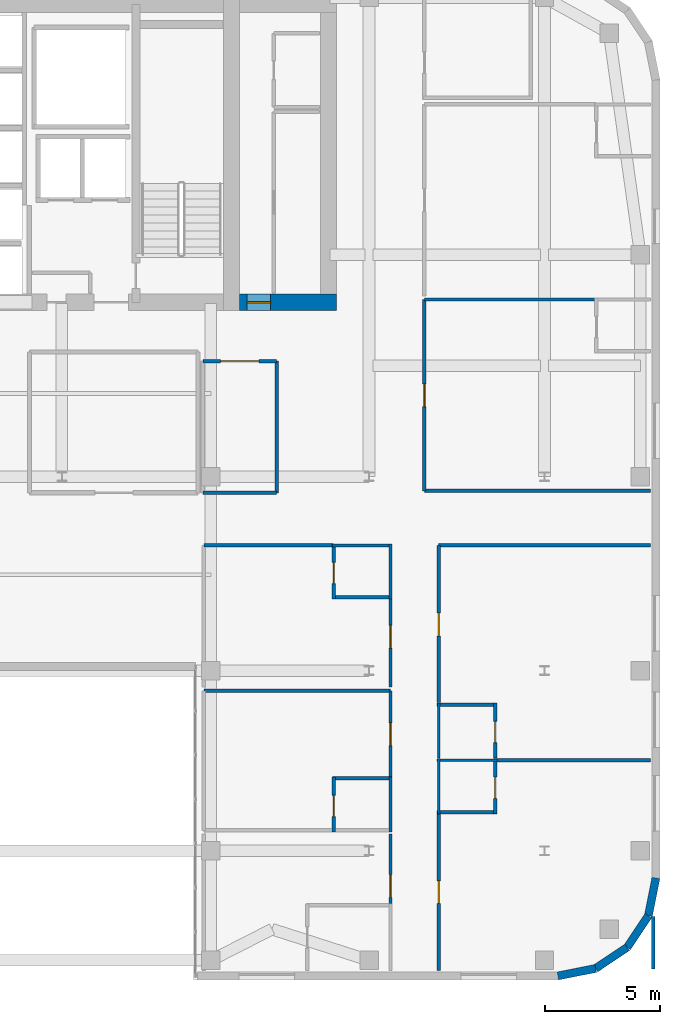
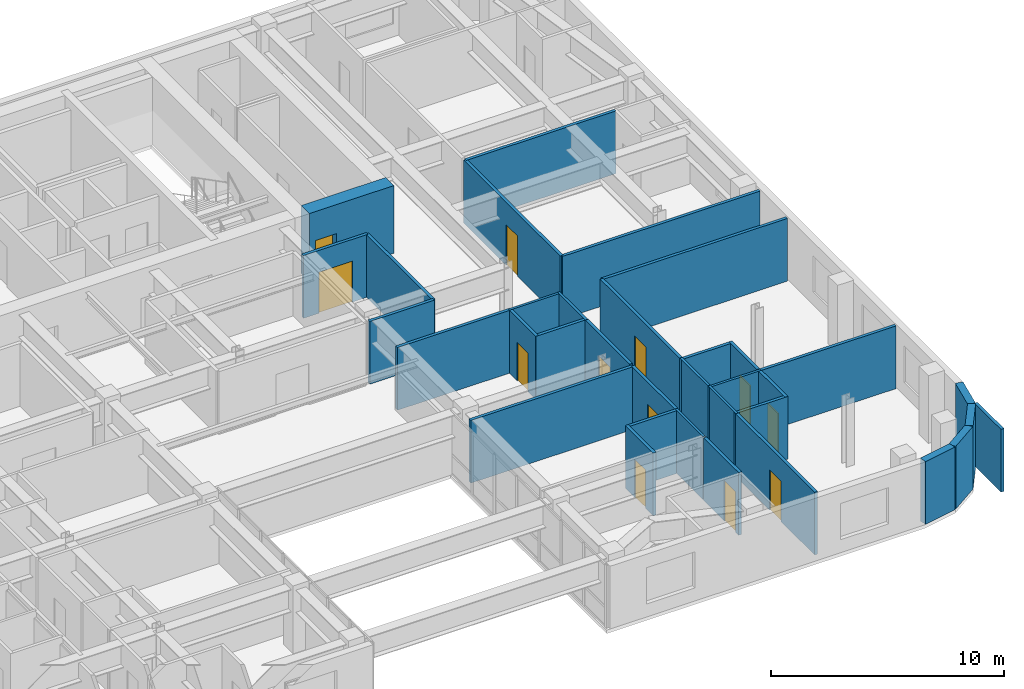
# One storey, part 9 of 13: 35 walls, 12 doors, 12 openings.
"""IFC4 building model written with IfcOpenShell, lengths in metres."""

from ifc_helpers import new_model, si_unit, direction, frame, frame_2d, origin, place, context, subcontext, project, spatial, rectangle, extrude, source, transform, mapped, material, layer, layer_set, type_object, type_shapes, element, fill, save


model = new_model("IFC4")

# Units and contexts
model_context = context("Model", 3, precision=1e-05, world=origin(), true_north=direction((0.0, 1.0)))
body_context = subcontext(model_context, "Body", "Model", "MODEL_VIEW")
ifc_project = project(units=[si_unit("LENGTHUNIT", "METRE"), si_unit("AREAUNIT", "SQUARE_METRE"), si_unit("VOLUMEUNIT", "CUBIC_METRE"), si_unit("PLANEANGLEUNIT", "RADIAN"), si_unit("MASSUNIT", "GRAM", prefix="KILO")], contexts=[model_context])

# Site, building, storey
site_placement = place(None, origin())
site = spatial("IfcSite", under=ifc_project, at=site_placement, CompositionType="ELEMENT")
building_placement = place(site_placement, origin())
building = spatial("IfcBuilding", under=site, at=building_placement, Name="Tolvann Quenvar Hotel", CompositionType="ELEMENT")
storey_placement = place(building_placement, frame((0.0, 0.0, 201.75)))
storey = spatial("IfcBuildingStorey", under=building, at=storey_placement, Name="L53", CompositionType="ELEMENT", Elevation=201.75)

# Wall, opening, door
ifc_material_1 = material(Name="Concrete S65 (65 MPa)", Category="concrete")
ifc_layer_1 = layer(ifc_material_1, 0.699951171875)
ifc_layer_set_1 = layer_set([ifc_layer_1], Name="Concrete S65 (65 MPa)")
wall_type_1 = type_object("IfcWallType", Name="WALL_CORE_700", PredefinedType="SHEAR", material=ifc_layer_set_1)
wall_1_placement = place(storey_placement, frame((36.199951171875, 31.949951171875, 0.0), z_axis=(0.0, 0.0, 1.0), x_axis=(1.0, 0.0, 0.0)))
wall_1 = element("IfcWall", 1, at=wall_1_placement, inside=storey, type_object=wall_type_1, Name="Core East Annex Shear Wall ANN-S (L53)", PredefinedType="SHEAR", context=body_context, shape_type="SweptSolid", body=[
    extrude(rectangle(XDim=4.199951171875, YDim=0.699951171875, at=frame_2d((2.10009765625, 0.0))), origin(), (0.0, 0.0, 1.0), 3.550048828125),
])
opening_1_placement = place(wall_1_placement, frame((1.340087890625, 0.0, 0.0), z_axis=(0.0, 0.0, 1.0), x_axis=(-1.0, 0.0, 0.0)))
opening_1 = element("IfcOpeningElement", 2, at=opening_1_placement, cuts=wall_1, Name="Opening HD-01", PredefinedType="OPENING", context=body_context, shape_type="SweptSolid", body=[
    extrude(rectangle(XDim=1.02001953125, YDim=2.030029296875, at=frame_2d((0.510009765625, 1.01513671875))), frame((0.0, 0.35986328125, 0.0), z_axis=(0.0, -1.0, 0.0), x_axis=(1.0, 0.0, 0.0)), (0.0, 0.0, 1.0), 0.719970703125),
])
ifc_material_2 = material(Name="Pressed galvanised steel fire-rated door set", Category="steel")
door_type_1 = type_object("IfcDoorType", Name="DOOR_BOH_1020", OperationType="NOTDEFINED", PredefinedType="DOOR", material=ifc_material_2)
shared_shape_1 = source(origin(), body_context, "Body", "SweptSolid", [
    extrude(rectangle(XDim=1.02001953125, YDim=2.030029296875, at=frame_2d((0.510009765625, 1.01513671875))), frame((0.0, 0.02490234375, 0.0), z_axis=(0.0, -1.0, 0.0), x_axis=(1.0, 0.0, 0.0)), (0.0, 0.0, 1.0), 0.050048828125),
])
type_shapes(door_type_1, [shared_shape_1])
door_1_placement = place(opening_1_placement, origin())
door_1 = element("IfcDoor", 3, at=door_1_placement, inside=storey, type_object=door_type_1, Name="Housekeeping Annex Fire Door (L53)", OperationType="SINGLE_SWING_RIGHT", OverallHeight=2.030029296875, OverallWidth=1.02001953125, PredefinedType="DOOR", context=body_context, shape_type="MappedRepresentation", body=[
    mapped(shared_shape_1, transform((0.0, 0.0, 0.0), x_axis=(1.0, 0.0, 0.0), y_axis=(0.0, 1.0, 0.0), z_axis=(0.0, 0.0, 1.0), scale=1.0)),
])
fill(opening_1, door_1)

# Walls
ifc_material_3 = material(Name="Kiln-fired red and buff architectural clay brickwork and terracotta masonry", Category="masonry")
ifc_layer_2 = layer(ifc_material_3, 0.35009765625)
ifc_layer_set_2 = layer_set([ifc_layer_2], Name="Kiln-fired red and buff architectural clay brickwork and terracotta masonry")
wall_type_2 = type_object("IfcWallType", Name="WALL_EXT_BRICK_350", PredefinedType="SOLIDWALL", material=ifc_layer_set_2)
wall_2_placement = place(storey_placement, frame((49.98291015625, 2.77490234375, 0.0), z_axis=(0.0, 0.0, 1.0), x_axis=(0.980788844421, 0.195072403631, 0.0)))
element("IfcWall", 4, at=wall_2_placement, inside=storey, type_object=wall_type_2, Name="Exterior Chicago Brick Wall L53-E09", PredefinedType="SOLIDWALL", context=body_context, shape_type="SweptSolid", body=[
    extrude(rectangle(XDim=1.66455078125, YDim=0.35009765625, at=frame_2d((0.832275390625, 0.0))), origin(), (0.0, 0.0, 1.0), 3.2900390625),
])
for number, where, z_axis, x_axis, name in (
    (5, (51.615478515625, 3.099609375, 0.0), (0.0, 0.0, 1.0), (0.831434158098, 0.555623290322, 0.0), "Exterior Chicago Brick Wall L53-E10"),
    (6, (52.985107421875, 4.014892578125, 0.0), (0.0, 0.0, 1.0), (0.555623290322, 0.831434158098, 0.0), "Exterior Chicago Brick Wall L53-E11"),
):
    element("IfcWall", number, at=place(storey_placement, frame(where, z_axis=z_axis, x_axis=x_axis)), inside=storey, type_object=wall_type_2, Name=name, PredefinedType="SOLIDWALL", context=body_context, shape_type="SweptSolid", body=[
        extrude(rectangle(XDim=1.647216796875, YDim=0.35009765625, at=frame_2d((0.82373046875, 0.0))), origin(), (0.0, 0.0, 1.0), 3.2900390625),
    ])
wall_3_placement = place(storey_placement, frame((53.900390625, 5.384521484375, 0.0), z_axis=(0.0, 0.0, 1.0), x_axis=(0.195072403631, 0.980788844421, 0.0)))
element("IfcWall", 7, at=wall_3_placement, inside=storey, type_object=wall_type_2, Name="Exterior Chicago Brick Wall L53-E12", PredefinedType="SOLIDWALL", context=body_context, shape_type="SweptSolid", body=[
    extrude(rectangle(XDim=1.66455078125, YDim=0.35009765625, at=frame_2d((0.832275390625, 0.0))), origin(), (0.0, 0.0, 1.0), 3.2900390625),
])
ifc_material_4 = material(Name="Moisture-resistant acoustic plumbing wall assembly")
ifc_layer_3 = layer(ifc_material_4, 0.1201171875)
ifc_layer_set_3 = layer_set([ifc_layer_3], Name="Moisture-resistant acoustic plumbing wall assembly")
wall_type_3 = type_object("IfcWallType", Name="WALL_PART_BATH_120", PredefinedType="PLUMBINGWALL", material=ifc_layer_set_3)
wall_4_placement = place(storey_placement, frame((42.72998046875, 9.010009765625, 0.0), z_axis=(0.0, 0.0, 1.0), x_axis=(0.0, 1.0, 0.0)))
element("IfcWall", 8, at=wall_4_placement, inside=storey, type_object=wall_type_3, Name="Non-Rated Plumbing Partition PT-SPC-L53-ENS-EI02-E", PredefinedType="PLUMBINGWALL", context=body_context, shape_type="SweptSolid", body=[
    extrude(rectangle(XDim=2.389892578125, YDim=0.1201171875, at=frame_2d((1.19482421875, 0.0))), origin(), (0.0, 0.0, 1.0), 3.2900390625),
])
wall_5_placement = place(storey_placement, frame((40.2099609375, 21.419921875, 0.0), z_axis=(0.0, 0.0, 1.0), x_axis=(1.0, 0.0, 0.0)))
element("IfcWall", 9, at=wall_5_placement, inside=storey, type_object=wall_type_3, Name="Non-Rated Plumbing Partition PT-SPC-L53-ENS-EI03-N", PredefinedType="PLUMBINGWALL", context=body_context, shape_type="SweptSolid", body=[
    extrude(rectangle(XDim=2.590087890625, YDim=0.1201171875, at=frame_2d((1.294921875, 0.0))), origin(), (0.0, 0.0, 1.0), 3.2900390625),
])
wall_6_placement = place(storey_placement, frame((42.72998046875, 19.10009765625, 0.0), z_axis=(0.0, 0.0, 1.0), x_axis=(0.0, 1.0, 0.0)))
element("IfcWall", 10, at=wall_6_placement, inside=storey, type_object=wall_type_3, Name="Non-Rated Plumbing Partition PT-SPC-L53-ENS-EI03-E", PredefinedType="PLUMBINGWALL", context=body_context, shape_type="SweptSolid", body=[
    extrude(rectangle(XDim=2.389892578125, YDim=0.1201171875, at=frame_2d((1.19482421875, 0.0))), origin(), (0.0, 0.0, 1.0), 3.2900390625),
])
wall_7_placement = place(storey_placement, frame((44.75, 12.1201171875, 0.0), z_axis=(0.0, 0.0, 1.0), x_axis=(1.0, 0.0, 0.0)))
element("IfcWall", 11, at=wall_7_placement, inside=storey, type_object=wall_type_3, Name="Non-Rated Plumbing Partition PT-SPC-L53-ENS-EO01-N", PredefinedType="PLUMBINGWALL", context=body_context, shape_type="SweptSolid", body=[
    extrude(rectangle(XDim=2.590087890625, YDim=0.1201171875, at=frame_2d((1.294921875, 0.0))), origin(), (0.0, 0.0, 1.0), 3.2900390625),
])
wall_8_placement = place(storey_placement, frame((44.820068359375, 9.800048828125, 0.0), z_axis=(0.0, 0.0, 1.0), x_axis=(0.0, 1.0, 0.0)))
element("IfcWall", 12, at=wall_8_placement, inside=storey, type_object=wall_type_3, Name="Non-Rated Plumbing Partition PT-SPC-L53-ENS-EO01-W", PredefinedType="PLUMBINGWALL", context=body_context, shape_type="SweptSolid", body=[
    extrude(rectangle(XDim=2.389892578125, YDim=0.1201171875, at=frame_2d((1.19482421875, 0.0))), origin(), (0.0, 0.0, 1.0), 3.2900390625),
])
wall_9_placement = place(storey_placement, frame((44.820068359375, 12.2099609375, 0.0), z_axis=(0.0, 0.0, 1.0), x_axis=(0.0, 1.0, 0.0)))
element("IfcWall", 13, at=wall_9_placement, inside=storey, type_object=wall_type_3, Name="Non-Rated Plumbing Partition PT-SPC-L53-ENS-EO02-W", PredefinedType="PLUMBINGWALL", context=body_context, shape_type="SweptSolid", body=[
    extrude(rectangle(XDim=2.39013671875, YDim=0.1201171875, at=frame_2d((1.195068359375, 0.0))), origin(), (0.0, 0.0, 1.0), 3.2900390625),
])

# Wall, opening, door
ifc_material_5 = material(Name="Acoustic twin-stud fire-rated gypsum plasterboard partition")
ifc_layer_4 = layer(ifc_material_5, 0.14990234375)
ifc_layer_set_4 = layer_set([ifc_layer_4], Name="Acoustic twin-stud fire-rated gypsum plasterboard partition")
wall_type_4 = type_object("IfcWallType", Name="WALL_PART_SUITE_150", PredefinedType="PARTITIONING", material=ifc_layer_set_4)
wall_10_placement = place(storey_placement, frame((40.280029296875, 9.010009765625, 0.0), z_axis=(0.0, 0.0, 1.0), x_axis=(0.0, 1.0, 0.0)))
wall_10 = element("IfcWall", 14, at=wall_10_placement, inside=storey, type_object=wall_type_4, Name="Interior Partition PT-SPC-L53-ENS-EI02-ENT", PredefinedType="PARTITIONING", context=body_context, shape_type="SweptSolid", body=[
    extrude(rectangle(XDim=2.389892578125, YDim=0.14990234375, at=frame_2d((1.19482421875, 0.0))), origin(), (0.0, 0.0, 1.0), 3.2900390625),
])
opening_2_placement = place(wall_10_placement, frame((0.6650390625, 0.0, 0.0)))
opening_2 = element("IfcOpeningElement", 15, at=opening_2_placement, cuts=wall_10, Name="Opening WD-01", PredefinedType="OPENING", context=body_context, shape_type="SweptSolid", body=[
    extrude(rectangle(XDim=0.919921875, YDim=2.010009765625, at=frame_2d((0.4599609375, 1.0048828125))), frame((0.0, 0.0849609375, 0.0), z_axis=(0.0, -1.0, 0.0), x_axis=(1.0, 0.0, 0.0)), (0.0, 0.0, 1.0), 0.169921875),
])
ifc_material_6 = material(Name="Solid-core American oak acoustic fire door leaf in steel frame", Category="steel")
door_type_2 = type_object("IfcDoorType", Name="DOOR_WC_920", OperationType="NOTDEFINED", PredefinedType="DOOR", material=ifc_material_6)
shared_shape_2 = source(origin(), body_context, "Body", "SweptSolid", [
    extrude(rectangle(XDim=0.919921875, YDim=2.010009765625, at=frame_2d((0.4599609375, 1.0048828125))), frame((0.0, 0.02490234375, 0.0), z_axis=(0.0, -1.0, 0.0), x_axis=(1.0, 0.0, 0.0)), (0.0, 0.0, 1.0), 0.050048828125),
])
type_shapes(door_type_2, [shared_shape_2])
door_2_placement = place(opening_2_placement, origin())
door_2 = element("IfcDoor", 16, at=door_2_placement, inside=storey, type_object=door_type_2, Name="Interior Door DOOR-SPC-L53-ENS-EI02", OperationType="SINGLE_SWING_LEFT", OverallHeight=2.010009765625, OverallWidth=0.919921875, PredefinedType="DOOR", context=body_context, shape_type="MappedRepresentation", body=[
    mapped(shared_shape_2, transform((0.0, 0.0, 0.0), x_axis=(1.0, 0.0, 0.0), y_axis=(0.0, 1.0, 0.0), z_axis=(0.0, 0.0, 1.0), scale=1.0)),
])
fill(opening_2, door_2)

# Wall
wall_11_placement = place(storey_placement, frame((40.2099609375, 11.330078125, 0.0), z_axis=(0.0, 0.0, 1.0), x_axis=(1.0, 0.0, 0.0)))
element("IfcWall", 17, at=wall_11_placement, inside=storey, type_object=wall_type_4, Name="Interior Partition PT-SPC-L53-ENS-EI02-N", PredefinedType="PARTITIONING", context=body_context, shape_type="SweptSolid", body=[
    extrude(rectangle(XDim=2.590087890625, YDim=0.14990234375, at=frame_2d((1.294921875, 0.0))), origin(), (0.0, 0.0, 1.0), 3.2900390625),
])

# Wall, opening, door
wall_12_placement = place(storey_placement, frame((40.280029296875, 19.10009765625, 0.0), z_axis=(0.0, 0.0, 1.0), x_axis=(0.0, 1.0, 0.0)))
wall_12 = element("IfcWall", 18, at=wall_12_placement, inside=storey, type_object=wall_type_4, Name="Interior Partition PT-SPC-L53-ENS-EI03-ENT", PredefinedType="PARTITIONING", context=body_context, shape_type="SweptSolid", body=[
    extrude(rectangle(XDim=2.389892578125, YDim=0.14990234375, at=frame_2d((1.19482421875, 0.0))), origin(), (0.0, 0.0, 1.0), 3.2900390625),
])
opening_3_placement = place(wall_12_placement, frame((0.6650390625, 0.0, 0.0)))
opening_3 = element("IfcOpeningElement", 19, at=opening_3_placement, cuts=wall_12, Name="Opening WD-01", PredefinedType="OPENING", context=body_context, shape_type="SweptSolid", body=[
    extrude(rectangle(XDim=0.919921875, YDim=2.010009765625, at=frame_2d((0.4599609375, 1.0048828125))), frame((0.0, 0.0849609375, 0.0), z_axis=(0.0, -1.0, 0.0), x_axis=(1.0, 0.0, 0.0)), (0.0, 0.0, 1.0), 0.169921875),
])
door_3_placement = place(opening_3_placement, origin())
door_3 = element("IfcDoor", 20, at=door_3_placement, inside=storey, type_object=door_type_2, Name="Interior Door DOOR-SPC-L53-ENS-EI03", OperationType="SINGLE_SWING_RIGHT", OverallHeight=2.010009765625, OverallWidth=0.919921875, PredefinedType="DOOR", context=body_context, shape_type="MappedRepresentation", body=[
    mapped(shared_shape_2, transform((0.0, 0.0, 0.0), x_axis=(1.0, 0.0, 0.0), y_axis=(0.0, 1.0, 0.0), z_axis=(0.0, 0.0, 1.0), scale=1.0)),
])
fill(opening_3, door_3)

# Wall
wall_13_placement = place(storey_placement, frame((40.2099609375, 19.169921875, 0.0), z_axis=(0.0, 0.0, 1.0), x_axis=(1.0, 0.0, 0.0)))
element("IfcWall", 21, at=wall_13_placement, inside=storey, type_object=wall_type_4, Name="Interior Partition PT-SPC-L53-ENS-EI03-S", PredefinedType="PARTITIONING", context=body_context, shape_type="SweptSolid", body=[
    extrude(rectangle(XDim=2.590087890625, YDim=0.14990234375, at=frame_2d((1.294921875, 0.0))), origin(), (0.0, 0.0, 1.0), 3.2900390625),
])

# Wall, opening, door
wall_14_placement = place(storey_placement, frame((47.27001953125, 9.800048828125, 0.0), z_axis=(0.0, 0.0, 1.0), x_axis=(0.0, 1.0, 0.0)))
wall_14 = element("IfcWall", 22, at=wall_14_placement, inside=storey, type_object=wall_type_4, Name="Interior Partition PT-SPC-L53-ENS-EO01-ENT", PredefinedType="PARTITIONING", context=body_context, shape_type="SweptSolid", body=[
    extrude(rectangle(XDim=2.389892578125, YDim=0.14990234375, at=frame_2d((1.19482421875, 0.0))), origin(), (0.0, 0.0, 1.0), 3.2900390625),
])
opening_4_placement = place(wall_14_placement, frame((0.6650390625, 0.0, 0.0)))
opening_4 = element("IfcOpeningElement", 23, at=opening_4_placement, cuts=wall_14, Name="Opening WD-01", PredefinedType="OPENING", context=body_context, shape_type="SweptSolid", body=[
    extrude(rectangle(XDim=0.919921875, YDim=2.010009765625, at=frame_2d((0.4599609375, 1.0048828125))), frame((0.0, 0.0849609375, 0.0), z_axis=(0.0, -1.0, 0.0), x_axis=(1.0, 0.0, 0.0)), (0.0, 0.0, 1.0), 0.169921875),
])
door_4_placement = place(opening_4_placement, origin())
door_4 = element("IfcDoor", 24, at=door_4_placement, inside=storey, type_object=door_type_2, Name="Interior Door DOOR-SPC-L53-ENS-EO01", OperationType="SINGLE_SWING_LEFT", OverallHeight=2.010009765625, OverallWidth=0.919921875, PredefinedType="DOOR", context=body_context, shape_type="MappedRepresentation", body=[
    mapped(shared_shape_2, transform((0.0, 0.0, 0.0), x_axis=(1.0, 0.0, 0.0), y_axis=(0.0, 1.0, 0.0), z_axis=(0.0, 0.0, 1.0), scale=1.0)),
])
fill(opening_4, door_4)

# Wall
wall_15_placement = place(storey_placement, frame((44.75, 9.8701171875, 0.0), z_axis=(0.0, 0.0, 1.0), x_axis=(1.0, 0.0, 0.0)))
element("IfcWall", 25, at=wall_15_placement, inside=storey, type_object=wall_type_4, Name="Interior Partition PT-SPC-L53-ENS-EO01-S", PredefinedType="PARTITIONING", context=body_context, shape_type="SweptSolid", body=[
    extrude(rectangle(XDim=2.590087890625, YDim=0.14990234375, at=frame_2d((1.294921875, 0.0))), origin(), (0.0, 0.0, 1.0), 3.2900390625),
])

# Wall, opening, door
wall_16_placement = place(storey_placement, frame((47.27001953125, 12.2099609375, 0.0), z_axis=(0.0, 0.0, 1.0), x_axis=(0.0, 1.0, 0.0)))
wall_16 = element("IfcWall", 26, at=wall_16_placement, inside=storey, type_object=wall_type_4, Name="Interior Partition PT-SPC-L53-ENS-EO02-ENT", PredefinedType="PARTITIONING", context=body_context, shape_type="SweptSolid", body=[
    extrude(rectangle(XDim=2.39013671875, YDim=0.14990234375, at=frame_2d((1.195068359375, 0.0))), origin(), (0.0, 0.0, 1.0), 3.2900390625),
])
opening_5_placement = place(wall_16_placement, frame((0.6650390625, 0.0, 0.0)))
opening_5 = element("IfcOpeningElement", 27, at=opening_5_placement, cuts=wall_16, Name="Opening WD-01", PredefinedType="OPENING", context=body_context, shape_type="SweptSolid", body=[
    extrude(rectangle(XDim=0.919921875, YDim=2.010009765625, at=frame_2d((0.4599609375, 1.0048828125))), frame((0.0, 0.0849609375, 0.0), z_axis=(0.0, -1.0, 0.0), x_axis=(1.0, 0.0, 0.0)), (0.0, 0.0, 1.0), 0.169921875),
])
door_5_placement = place(opening_5_placement, origin())
door_5 = element("IfcDoor", 28, at=door_5_placement, inside=storey, type_object=door_type_2, Name="Interior Door DOOR-SPC-L53-ENS-EO02", OperationType="SINGLE_SWING_RIGHT", OverallHeight=2.010009765625, OverallWidth=0.919921875, PredefinedType="DOOR", context=body_context, shape_type="MappedRepresentation", body=[
    mapped(shared_shape_2, transform((0.0, 0.0, 0.0), x_axis=(1.0, 0.0, 0.0), y_axis=(0.0, 1.0, 0.0), z_axis=(0.0, 0.0, 1.0), scale=1.0)),
])
fill(opening_5, door_5)

# Wall
wall_17_placement = place(storey_placement, frame((44.75, 14.530029296875, 0.0), z_axis=(0.0, 0.0, 1.0), x_axis=(1.0, 0.0, 0.0)))
element("IfcWall", 29, at=wall_17_placement, inside=storey, type_object=wall_type_4, Name="Interior Partition PT-SPC-L53-ENS-EO02-N", PredefinedType="PARTITIONING", context=body_context, shape_type="SweptSolid", body=[
    extrude(rectangle(XDim=2.590087890625, YDim=0.14990234375, at=frame_2d((1.294921875, 0.0))), origin(), (0.0, 0.0, 1.0), 3.2900390625),
])

# Wall, opening, door
wall_18_placement = place(storey_placement, frame((42.72998046875, 5.909912109375, 0.0), z_axis=(0.0, 0.0, 1.0), x_axis=(0.0, 1.0, 0.0)))
wall_18 = element("IfcWall", 30, at=wall_18_placement, inside=storey, type_object=wall_type_4, Name="Interior Partition PT-SPC-L53-RM-EI01-ENT", PredefinedType="PARTITIONING", context=body_context, shape_type="SweptSolid", body=[
    extrude(rectangle(XDim=3.010009765625, YDim=0.14990234375, at=frame_2d((1.5048828125, 0.0))), origin(), (0.0, 0.0, 1.0), 3.2900390625),
])
opening_6_placement = place(wall_18_placement, frame((0.27001953125, 0.0, 0.0)))
opening_6 = element("IfcOpeningElement", 31, at=opening_6_placement, cuts=wall_18, Name="Opening SD-01", PredefinedType="OPENING", context=body_context, shape_type="SweptSolid", body=[
    extrude(rectangle(XDim=0.97998046875, YDim=2.1201171875, at=frame_2d((0.489990234375, 1.06005859375))), frame((0.0, 0.0849609375, 0.0), z_axis=(0.0, -1.0, 0.0), x_axis=(1.0, 0.0, 0.0)), (0.0, 0.0, 1.0), 0.169921875),
])
door_type_3 = type_object("IfcDoorType", Name="DOOR_SUITE_980", OperationType="NOTDEFINED", PredefinedType="DOOR", material=ifc_material_6)
shared_shape_3 = source(origin(), body_context, "Body", "SweptSolid", [
    extrude(rectangle(XDim=0.97998046875, YDim=2.1201171875, at=frame_2d((0.489990234375, 1.06005859375))), frame((0.0, 0.02490234375, 0.0), z_axis=(0.0, -1.0, 0.0), x_axis=(1.0, 0.0, 0.0)), (0.0, 0.0, 1.0), 0.050048828125),
])
type_shapes(door_type_3, [shared_shape_3])
door_6_placement = place(opening_6_placement, origin())
door_6 = element("IfcDoor", 32, at=door_6_placement, inside=storey, type_object=door_type_3, Name="Interior Door DOOR-SPC-L53-RM-EI01", OperationType="SINGLE_SWING_RIGHT", OverallHeight=2.1201171875, OverallWidth=0.97998046875, PredefinedType="DOOR", context=body_context, shape_type="MappedRepresentation", body=[
    mapped(shared_shape_3, transform((0.0, 0.0, 0.0), x_axis=(1.0, 0.0, 0.0), y_axis=(0.0, 1.0, 0.0), z_axis=(0.0, 0.0, 1.0), scale=1.0)),
])
fill(opening_6, door_6)

wall_19_placement = place(storey_placement, frame((42.72998046875, 11.409912109375, 0.0), z_axis=(0.0, 0.0, 1.0), x_axis=(0.0, 1.0, 0.0)))
wall_19 = element("IfcWall", 33, at=wall_19_placement, inside=storey, type_object=wall_type_4, Name="Interior Partition PT-SPC-L53-RM-EI02-ENT", PredefinedType="PARTITIONING", context=body_context, shape_type="SweptSolid", body=[
    extrude(rectangle(XDim=3.710205078125, YDim=0.14990234375, at=frame_2d((1.85498046875, 0.0))), origin(), (0.0, 0.0, 1.0), 3.2900390625),
])
opening_7_placement = place(wall_19_placement, frame((1.344970703125, 0.0, 0.0)))
opening_7 = element("IfcOpeningElement", 34, at=opening_7_placement, cuts=wall_19, Name="Opening SD-01", PredefinedType="OPENING", context=body_context, shape_type="SweptSolid", body=[
    extrude(rectangle(XDim=0.97998046875, YDim=2.1201171875, at=frame_2d((0.489990234375, 1.06005859375))), frame((0.0, 0.0849609375, 0.0), z_axis=(0.0, -1.0, 0.0), x_axis=(1.0, 0.0, 0.0)), (0.0, 0.0, 1.0), 0.169921875),
])
door_7_placement = place(opening_7_placement, origin())
door_7 = element("IfcDoor", 35, at=door_7_placement, inside=storey, type_object=door_type_3, Name="Interior Door DOOR-SPC-L53-RM-EI02", OperationType="SINGLE_SWING_LEFT", OverallHeight=2.1201171875, OverallWidth=0.97998046875, PredefinedType="DOOR", context=body_context, shape_type="MappedRepresentation", body=[
    mapped(shared_shape_3, transform((0.0, 0.0, 0.0), x_axis=(1.0, 0.0, 0.0), y_axis=(0.0, 1.0, 0.0), z_axis=(0.0, 0.0, 1.0), scale=1.0)),
])
fill(opening_7, door_7)

# Wall
wall_20_placement = place(storey_placement, frame((34.64990234375, 15.1201171875, 0.0), z_axis=(0.0, 0.0, 1.0), x_axis=(1.0, 0.0, 0.0)))
element("IfcWall", 36, at=wall_20_placement, inside=storey, type_object=wall_type_4, Name="Interior Partition PT-SPC-L53-RM-EI02-E5", PredefinedType="PARTITIONING", context=body_context, shape_type="SweptSolid", body=[
    extrude(rectangle(XDim=8.080078125, YDim=0.14990234375, at=frame_2d((4.0400390625, 0.0))), origin(), (0.0, 0.0, 1.0), 3.2900390625),
])

# Wall, opening, door
wall_21_placement = place(storey_placement, frame((42.72998046875, 15.280029296875, 0.0), z_axis=(0.0, 0.0, 1.0), x_axis=(0.0, 1.0, 0.0)))
wall_21 = element("IfcWall", 37, at=wall_21_placement, inside=storey, type_object=wall_type_4, Name="Interior Partition PT-SPC-L53-RM-EI03-ENT", PredefinedType="PARTITIONING", context=body_context, shape_type="SweptSolid", body=[
    extrude(rectangle(XDim=3.81005859375, YDim=0.14990234375, at=frame_2d((1.905029296875, 0.0))), origin(), (0.0, 0.0, 1.0), 3.2900390625),
])
opening_8_placement = place(wall_21_placement, frame((1.695068359375, 0.0, 0.0)))
opening_8 = element("IfcOpeningElement", 38, at=opening_8_placement, cuts=wall_21, Name="Opening SD-01", PredefinedType="OPENING", context=body_context, shape_type="SweptSolid", body=[
    extrude(rectangle(XDim=0.97998046875, YDim=2.1201171875, at=frame_2d((0.489990234375, 1.06005859375))), frame((0.0, 0.0849609375, 0.0), z_axis=(0.0, -1.0, 0.0), x_axis=(1.0, 0.0, 0.0)), (0.0, 0.0, 1.0), 0.169921875),
])
door_8_placement = place(opening_8_placement, origin())
door_8 = element("IfcDoor", 39, at=door_8_placement, inside=storey, type_object=door_type_3, Name="Interior Door DOOR-SPC-L53-RM-EI03", OperationType="SINGLE_SWING_RIGHT", OverallHeight=2.1201171875, OverallWidth=0.97998046875, PredefinedType="DOOR", context=body_context, shape_type="MappedRepresentation", body=[
    mapped(shared_shape_3, transform((0.0, 0.0, 0.0), x_axis=(1.0, 0.0, 0.0), y_axis=(0.0, 1.0, 0.0), z_axis=(0.0, 0.0, 1.0), scale=1.0)),
])
fill(opening_8, door_8)

# Wall
wall_22_placement = place(storey_placement, frame((34.64990234375, 21.419921875, 0.0), z_axis=(0.0, 0.0, 1.0), x_axis=(1.0, 0.0, 0.0)))
element("IfcWall", 40, at=wall_22_placement, inside=storey, type_object=wall_type_4, Name="Interior Partition PT-SPC-L53-RM-EI03-E5", PredefinedType="PARTITIONING", context=body_context, shape_type="SweptSolid", body=[
    extrude(rectangle(XDim=5.610107421875, YDim=0.14990234375, at=frame_2d((2.80517578125, 0.0))), origin(), (0.0, 0.0, 1.0), 3.2900390625),
])

# Wall, opening, door
wall_23_placement = place(storey_placement, frame((44.820068359375, 3.0048828125, 0.0), z_axis=(0.0, 0.0, 1.0), x_axis=(0.0, 1.0, 0.0)))
wall_23 = element("IfcWall", 41, at=wall_23_placement, inside=storey, type_object=wall_type_4, Name="Interior Partition PT-SPC-L53-RM-EO01-ENT", PredefinedType="PARTITIONING", context=body_context, shape_type="SweptSolid", body=[
    extrude(rectangle(XDim=6.78515625, YDim=0.14990234375, at=frame_2d((3.392578125, 0.0))), origin(), (0.0, 0.0, 1.0), 3.2900390625),
])
opening_9_placement = place(wall_23_placement, frame((2.909912109375, 0.0, 0.0)))
opening_9 = element("IfcOpeningElement", 42, at=opening_9_placement, cuts=wall_23, Name="Opening SD-01", PredefinedType="OPENING", context=body_context, shape_type="SweptSolid", body=[
    extrude(rectangle(XDim=0.97998046875, YDim=2.1201171875, at=frame_2d((0.489990234375, 1.06005859375))), frame((0.0, 0.0849609375, 0.0), z_axis=(0.0, -1.0, 0.0), x_axis=(1.0, 0.0, 0.0)), (0.0, 0.0, 1.0), 0.169921875),
])
door_9_placement = place(opening_9_placement, origin())
door_9 = element("IfcDoor", 43, at=door_9_placement, inside=storey, type_object=door_type_3, Name="Interior Door DOOR-SPC-L53-RM-EO01", OperationType="SINGLE_SWING_LEFT", OverallHeight=2.1201171875, OverallWidth=0.97998046875, PredefinedType="DOOR", context=body_context, shape_type="MappedRepresentation", body=[
    mapped(shared_shape_3, transform((0.0, 0.0, 0.0), x_axis=(1.0, 0.0, 0.0), y_axis=(0.0, 1.0, 0.0), z_axis=(0.0, 0.0, 1.0), scale=1.0)),
])
fill(opening_9, door_9)

# Walls
wall_24_placement = place(storey_placement, frame((54.10009765625, 3.080078125, 0.0), z_axis=(0.0, 0.0, 1.0), x_axis=(0.0, 1.0, 0.0)))
element("IfcWall", 44, at=wall_24_placement, inside=storey, type_object=wall_type_4, Name="Interior Partition PT-SPC-L53-RM-EO01-E2", PredefinedType="PARTITIONING", context=body_context, shape_type="SweptSolid", body=[
    extrude(rectangle(XDim=2.264892578125, YDim=0.14990234375, at=frame_2d((1.13232421875, 0.0))), origin(), (0.0, 0.0, 1.0), 3.2900390625),
])
wall_25_placement = place(storey_placement, frame((47.2900390625, 12.1201171875, 0.0), z_axis=(0.0, 0.0, 1.0), x_axis=(1.0, 0.0, 0.0)))
element("IfcWall", 45, at=wall_25_placement, inside=storey, type_object=wall_type_4, Name="Interior Partition PT-SPC-L53-RM-EO01-E3", PredefinedType="PARTITIONING", context=body_context, shape_type="SweptSolid", body=[
    extrude(rectangle(XDim=6.705078125, YDim=0.14990234375, at=frame_2d((3.3525390625, 0.0))), origin(), (0.0, 0.0, 1.0), 3.2900390625),
])

# Wall, opening, door
wall_26_placement = place(storey_placement, frame((44.820068359375, 14.610107421875, 0.0), z_axis=(0.0, 0.0, 1.0), x_axis=(0.0, 1.0, 0.0)))
wall_26 = element("IfcWall", 46, at=wall_26_placement, inside=storey, type_object=wall_type_4, Name="Interior Partition PT-SPC-L53-RM-EO02-ENT", PredefinedType="PARTITIONING", context=body_context, shape_type="SweptSolid", body=[
    extrude(rectangle(XDim=6.809814453125, YDim=0.14990234375, at=frame_2d((3.40478515625, 0.0))), origin(), (0.0, 0.0, 1.0), 3.2900390625),
])
opening_10_placement = place(wall_26_placement, frame((2.89501953125, 0.0, 0.0)))
opening_10 = element("IfcOpeningElement", 47, at=opening_10_placement, cuts=wall_26, Name="Opening SD-01", PredefinedType="OPENING", context=body_context, shape_type="SweptSolid", body=[
    extrude(rectangle(XDim=0.97998046875, YDim=2.1201171875, at=frame_2d((0.489990234375, 1.06005859375))), frame((0.0, 0.0849609375, 0.0), z_axis=(0.0, -1.0, 0.0), x_axis=(1.0, 0.0, 0.0)), (0.0, 0.0, 1.0), 0.169921875),
])
door_10_placement = place(opening_10_placement, origin())
door_10 = element("IfcDoor", 48, at=door_10_placement, inside=storey, type_object=door_type_3, Name="Interior Door DOOR-SPC-L53-RM-EO02", OperationType="SINGLE_SWING_RIGHT", OverallHeight=2.1201171875, OverallWidth=0.97998046875, PredefinedType="DOOR", context=body_context, shape_type="MappedRepresentation", body=[
    mapped(shared_shape_3, transform((0.0, 0.0, 0.0), x_axis=(1.0, 0.0, 0.0), y_axis=(0.0, 1.0, 0.0), z_axis=(0.0, 0.0, 1.0), scale=1.0)),
])
fill(opening_10, door_10)

# Wall
wall_27_placement = place(storey_placement, frame((44.820068359375, 21.419921875, 0.0), z_axis=(0.0, 0.0, 1.0), x_axis=(1.0, 0.0, 0.0)))
element("IfcWall", 49, at=wall_27_placement, inside=storey, type_object=wall_type_4, Name="Interior Partition PT-SPC-L53-RM-EO02-E5", PredefinedType="PARTITIONING", context=body_context, shape_type="SweptSolid", body=[
    extrude(rectangle(XDim=9.175048828125, YDim=0.14990234375, at=frame_2d((4.58740234375, 0.0))), origin(), (0.0, 0.0, 1.0), 3.2900390625),
])

# Wall, opening, door
wall_28_placement = place(storey_placement, frame((44.199951171875, 23.780029296875, 0.0), z_axis=(0.0, 0.0, 1.0), x_axis=(0.0, 1.0, 0.0)))
wall_28 = element("IfcWall", 50, at=wall_28_placement, inside=storey, type_object=wall_type_4, Name="Interior Partition PT-SPC-L53-RM-NE01-ENT", PredefinedType="PARTITIONING", context=body_context, shape_type="SweptSolid", body=[
    extrude(rectangle(XDim=8.2900390625, YDim=0.14990234375, at=frame_2d((4.14501953125, 0.0))), origin(), (0.0, 0.0, 1.0), 3.2900390625),
])
opening_11_placement = place(wall_28_placement, frame((3.655029296875, 0.0, 0.0)))
opening_11 = element("IfcOpeningElement", 51, at=opening_11_placement, cuts=wall_28, Name="Opening SD-01", PredefinedType="OPENING", context=body_context, shape_type="SweptSolid", body=[
    extrude(rectangle(XDim=0.97998046875, YDim=2.1201171875, at=frame_2d((0.489990234375, 1.06005859375))), frame((0.0, 0.0849609375, 0.0), z_axis=(0.0, -1.0, 0.0), x_axis=(1.0, 0.0, 0.0)), (0.0, 0.0, 1.0), 0.169921875),
])
door_11_placement = place(opening_11_placement, origin())
door_11 = element("IfcDoor", 52, at=door_11_placement, inside=storey, type_object=door_type_3, Name="Interior Door DOOR-SPC-L53-RM-NE01", OperationType="SINGLE_SWING_LEFT", OverallHeight=2.1201171875, OverallWidth=0.97998046875, PredefinedType="DOOR", context=body_context, shape_type="MappedRepresentation", body=[
    mapped(shared_shape_3, transform((0.0, 0.0, 0.0), x_axis=(1.0, 0.0, 0.0), y_axis=(0.0, 1.0, 0.0), z_axis=(0.0, 0.0, 1.0), scale=1.0)),
])
fill(opening_11, door_11)

# Walls
wall_29_placement = place(storey_placement, frame((44.199951171875, 23.780029296875, 0.0), z_axis=(0.0, 0.0, 1.0), x_axis=(1.0, 0.0, 0.0)))
element("IfcWall", 53, at=wall_29_placement, inside=storey, type_object=wall_type_4, Name="Interior Partition PT-SPC-L53-RM-NE01-E1", PredefinedType="PARTITIONING", context=body_context, shape_type="SweptSolid", body=[
    extrude(rectangle(XDim=9.795166015625, YDim=0.14990234375, at=frame_2d((4.8974609375, 0.0))), origin(), (0.0, 0.0, 1.0), 3.2900390625),
])
wall_30_placement = place(storey_placement, frame((44.199951171875, 32.070068359375, 0.0), z_axis=(0.0, 0.0, 1.0), x_axis=(1.0, 0.0, 0.0)))
element("IfcWall", 54, at=wall_30_placement, inside=storey, type_object=wall_type_4, Name="Interior Partition PT-SPC-L53-RM-NE01-E5", PredefinedType="PARTITIONING", context=body_context, shape_type="SweptSolid", body=[
    extrude(rectangle(XDim=7.429931640625, YDim=0.14990234375, at=frame_2d((3.71484375, 0.0))), origin(), (0.0, 0.0, 1.0), 3.2900390625),
])
wall_31_placement = place(storey_placement, frame((34.60009765625, 23.699951171875, 0.0), z_axis=(0.0, 0.0, 1.0), x_axis=(1.0, 0.0, 0.0)))
element("IfcWall", 55, at=wall_31_placement, inside=storey, type_object=wall_type_4, Name="Interior Partition PT-SPC-L53-MSP-E-S", PredefinedType="PARTITIONING", context=body_context, shape_type="SweptSolid", body=[
    extrude(rectangle(XDim=3.199951171875, YDim=0.14990234375, at=frame_2d((1.60009765625, 0.0))), origin(), (0.0, 0.0, 1.0), 3.2900390625),
])

# Wall, opening, door
wall_32_placement = place(storey_placement, frame((34.60009765625, 29.39990234375, 0.0), z_axis=(0.0, 0.0, 1.0), x_axis=(1.0, 0.0, 0.0)))
wall_32 = element("IfcWall", 56, at=wall_32_placement, inside=storey, type_object=wall_type_4, Name="Interior Partition PT-SPC-L53-MSP-E-N", PredefinedType="PARTITIONING", context=body_context, shape_type="SweptSolid", body=[
    extrude(rectangle(XDim=3.199951171875, YDim=0.14990234375, at=frame_2d((1.60009765625, 0.0))), origin(), (0.0, 0.0, 1.0), 3.2900390625),
])
opening_12_placement = place(wall_32_placement, frame((0.77490234375, 0.0, 0.0)))
opening_12 = element("IfcOpeningElement", 57, at=opening_12_placement, cuts=wall_32, Name="Opening AD-01", PredefinedType="OPENING", context=body_context, shape_type="SweptSolid", body=[
    extrude(rectangle(XDim=1.64990234375, YDim=2.14990234375, at=frame_2d((0.824951171875, 1.074951171875))), frame((0.0, 0.0849609375, 0.0), z_axis=(0.0, -1.0, 0.0), x_axis=(1.0, 0.0, 0.0)), (0.0, 0.0, 1.0), 0.169921875),
])
door_type_4 = type_object("IfcDoorType", Name="DOOR_SALON_1650", OperationType="NOTDEFINED", PredefinedType="DOOR", material=ifc_material_6)
shared_shape_4 = source(origin(), body_context, "Body", "SweptSolid", [
    extrude(rectangle(XDim=1.64990234375, YDim=2.14990234375, at=frame_2d((0.824951171875, 1.074951171875))), frame((0.0, 0.02490234375, 0.0), z_axis=(0.0, -1.0, 0.0), x_axis=(1.0, 0.0, 0.0)), (0.0, 0.0, 1.0), 0.050048828125),
])
type_shapes(door_type_4, [shared_shape_4])
door_12_placement = place(opening_12_placement, origin())
door_12 = element("IfcDoor", 58, at=door_12_placement, inside=storey, type_object=door_type_4, Name="Interior Door DOOR-SPC-L53-MSP-E", OperationType="DOUBLE_DOOR_SINGLE_SWING", OverallHeight=2.14990234375, OverallWidth=1.64990234375, PredefinedType="DOOR", context=body_context, shape_type="MappedRepresentation", body=[
    mapped(shared_shape_4, transform((0.0, 0.0, 0.0), x_axis=(1.0, 0.0, 0.0), y_axis=(0.0, 1.0, 0.0), z_axis=(0.0, 0.0, 1.0), scale=1.0)),
])
fill(opening_12, door_12)

# Wall
wall_33_placement = place(storey_placement, frame((37.800048828125, 23.699951171875, 0.0), z_axis=(0.0, 0.0, 1.0), x_axis=(0.0, 1.0, 0.0)))
element("IfcWall", 59, at=wall_33_placement, inside=storey, type_object=wall_type_4, Name="Interior Partition PT-SPC-L53-MSP-E-E", PredefinedType="PARTITIONING", context=body_context, shape_type="SweptSolid", body=[
    extrude(rectangle(XDim=5.699951171875, YDim=0.14990234375, at=frame_2d((2.85009765625, 0.0))), origin(), (0.0, 0.0, 1.0), 3.2900390625),
])

save(model, "model.ifc")
